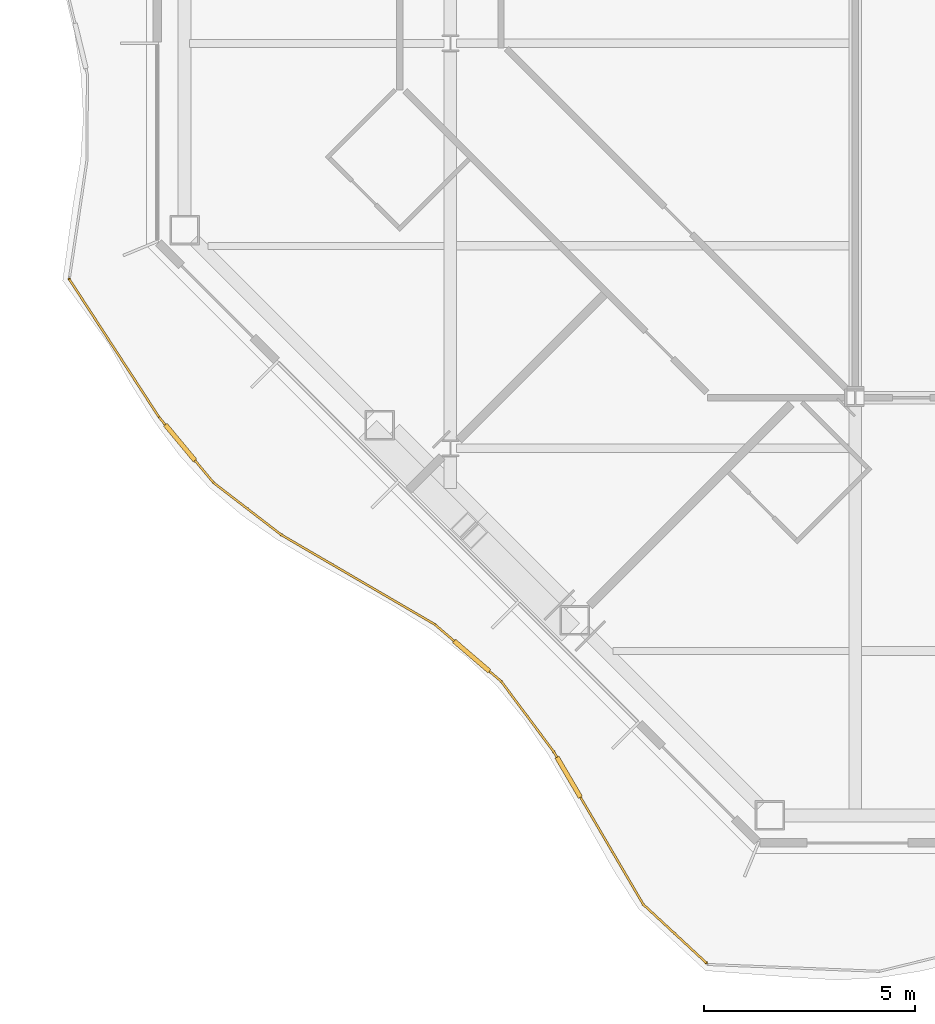
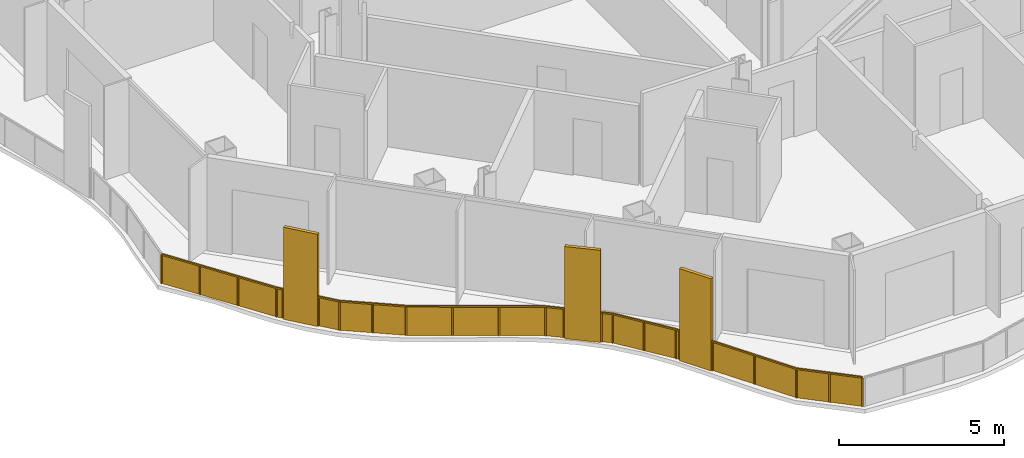
# One storey, part 15 of 21: 1 railing.
"""IFC4 building model written with IfcOpenShell, lengths in metres."""

from ifc_helpers import new_model, si_unit, direction, frame, origin, origin_2d, place, context, subcontext, project, spatial, polyline, rectangle, outline, extrude, material, type_object, element, save


model = new_model("IFC4")

# Units and contexts
model_context = context("Model", 3, precision=1e-05, world=origin(), true_north=direction((0.0, 1.0)))
body_context = subcontext(model_context, "Body", "Model", "MODEL_VIEW")
ifc_project = project(units=[si_unit("LENGTHUNIT", "METRE"), si_unit("AREAUNIT", "SQUARE_METRE"), si_unit("VOLUMEUNIT", "CUBIC_METRE"), si_unit("PLANEANGLEUNIT", "RADIAN"), si_unit("MASSUNIT", "GRAM", prefix="KILO")], contexts=[model_context])

# Site, building, storey
site_placement = place(None, origin())
site = spatial("IfcSite", under=ifc_project, at=site_placement, CompositionType="ELEMENT")
building_placement = place(site_placement, origin())
building = spatial("IfcBuilding", under=site, at=building_placement, Name="Cairn Pilgrim Tower", CompositionType="ELEMENT")
storey_placement = place(building_placement, frame((0.0, 0.0, 136.199951171875)))
storey = spatial("IfcBuildingStorey", under=building, at=storey_placement, Name="L33", CompositionType="ELEMENT", Elevation=136.199951171875)

# Railing
ifc_material = material(Name="Bronze anodised aluminium rail, posts and fin screens with laminated glass infill", Category="aluminium")
railing_type = type_object("IfcRailingType", Name="BALCONY GUARD WITH FIN SCREENS", PredefinedType="GUARDRAIL", material=ifc_material)
railing_placement = place(storey_placement, frame((-23.43212890625, -5.589599609375, 0.0)))
element("IfcRailing", 1, at=railing_placement, inside=storey, type_object=railing_type, Name="Balcony guard BGF-8 with fin screens", PredefinedType="GUARDRAIL", context=body_context, shape_type="SweptSolid", body=[
    extrude(rectangle(XDim=0.050048828125, YDim=0.050048828125, at=origin_2d()), frame((0.0, 0.0, 1.0751953125), z_axis=(0.545199621841, -0.83830625212, 0.0), x_axis=(0.83830625212, 0.545199621841, 0.0)), (0.0, 0.0, 1.0), 3.89892578125),
    extrude(rectangle(XDim=1.10009765625, YDim=0.110107421875, at=origin_2d()), frame((2.62841796875, -3.873046875, 0.0), z_axis=(0.0, 0.0, 1.0), x_axis=(0.639339827506, -0.768924303794, 0.0)), (0.0, 0.0, 1.0), 3.39990234375),
    extrude(rectangle(XDim=0.050048828125, YDim=0.050048828125, at=origin_2d()), frame((2.125732421875, -3.2685546875, 1.0751953125), z_axis=(0.639339827506, -0.768924303794, 0.0), x_axis=(0.768924303794, 0.639339827506, 0.0)), (0.0, 0.0, 1.0), 0.236083984375),
    extrude(rectangle(XDim=0.050048828125, YDim=0.050048828125, at=origin_2d()), frame((2.97998046875, -4.2958984375, 1.0751953125), z_axis=(0.639339827506, -0.768924303794, 0.0), x_axis=(0.768924303794, 0.639339827506, 0.0)), (0.0, 0.0, 1.0), 0.68359375),
    extrude(rectangle(XDim=0.050048828125, YDim=0.050048828125, at=origin_2d()), frame((3.4169921875, -4.821533203125, 1.0751953125), z_axis=(0.792628465799, -0.609704941103, 0.0), x_axis=(0.609704941103, 0.792628465799, 0.0)), (0.0, 0.0, 1.0), 2.02734375),
    extrude(rectangle(XDim=0.050048828125, YDim=0.050048828125, at=origin_2d()), frame((5.02392578125, -6.0576171875, 1.0751953125), z_axis=(0.863604497181, -0.504169884512, 0.0), x_axis=(0.504169884512, 0.863604497181, 0.0)), (0.0, 0.0, 1.0), 4.21533203125),
    extrude(rectangle(XDim=1.10009765625, YDim=0.110107421875, at=origin_2d()), frame((9.5400390625, -8.93408203125, 0.0), z_axis=(0.0, 0.0, 1.0), x_axis=(0.758940550376, -0.651159919677, 0.0)), (0.0, 0.0, 1.0), 3.39990234375),
    extrude(rectangle(XDim=0.050048828125, YDim=0.050048828125, at=origin_2d()), frame((8.664306640625, -8.182861328125, 1.0751953125), z_axis=(0.758940550376, -0.651159919677, 0.0), x_axis=(0.651159919677, 0.758940550376, 0.0)), (0.0, 0.0, 1.0), 0.603759765625),
    extrude(rectangle(XDim=0.050048828125, YDim=0.050048828125, at=origin_2d()), frame((9.95751953125, -9.292236328125, 1.0751953125), z_axis=(0.758940550376, -0.651159919677, 0.0), x_axis=(0.651159919677, 0.758940550376, 0.0)), (0.0, 0.0, 1.0), 0.368896484375),
    extrude(rectangle(XDim=0.050048828125, YDim=0.050048828125, at=origin_2d()), frame((10.2373046875, -9.532470703125, 1.0751953125), z_axis=(0.59832937357, -0.801250248501, 0.0), x_axis=(0.801250248501, 0.59832937357, 0.0)), (0.0, 0.0, 1.0), 2.08251953125),
    extrude(rectangle(XDim=1.10009765625, YDim=0.110107421875, at=origin_2d()), frame((11.83740234375, -11.804931640625, 0.0), z_axis=(0.0, 0.0, 1.0), x_axis=(0.505809103116, -0.862645437712, 0.0)), (0.0, 0.0, 1.0), 3.39990234375),
    extrude(rectangle(XDim=0.050048828125, YDim=0.050048828125, at=origin_2d()), frame((11.4833984375, -11.201171875, 1.0751953125), z_axis=(0.505809103116, -0.862645437712, 0.0), x_axis=(0.862645437712, 0.505809103116, 0.0)), (0.0, 0.0, 1.0), 0.14990234375),
    extrude(rectangle(XDim=0.050048828125, YDim=0.050048828125, at=origin_2d()), frame((12.11572265625, -12.279296875, 1.0751953125), z_axis=(0.505809103116, -0.862645437712, 0.0), x_axis=(0.862645437712, 0.505809103116, 0.0)), (0.0, 0.0, 1.0), 2.945556640625),
    extrude(rectangle(XDim=0.050048828125, YDim=0.050048828125, at=origin_2d()), frame((13.60546875, -14.8203125, 1.0751953125), z_axis=(0.733656498761, -0.679520523476, 0.0), x_axis=(0.679520523476, 0.733656498761, 0.0)), (0.0, 0.0, 1.0), 2.033935546875),
    extrude(rectangle(XDim=0.050048828125, YDim=0.050048828125, at=origin_2d()), origin(), (0.0, 0.0, 1.0), 1.050048828125),
    extrude(rectangle(XDim=0.050048828125, YDim=0.050048828125, at=origin_2d()), frame((0.70849609375, -1.089599609375, 0.0)), (0.0, 0.0, 1.0), 1.050048828125),
    extrude(rectangle(XDim=0.050048828125, YDim=0.050048828125, at=origin_2d()), frame((1.417236328125, -2.178955078125, 0.0)), (0.0, 0.0, 1.0), 1.050048828125),
    extrude(rectangle(XDim=0.050048828125, YDim=0.050048828125, at=origin_2d()), frame((2.125732421875, -3.2685546875, 0.0)), (0.0, 0.0, 1.0), 1.050048828125),
    extrude(rectangle(XDim=0.050048828125, YDim=0.050048828125, at=origin_2d()), frame((2.2607421875, -3.430908203125, 0.0)), (0.0, 0.0, 1.0), 1.050048828125),
    extrude(rectangle(XDim=0.050048828125, YDim=0.050048828125, at=origin_2d()), frame((2.99609375, -4.315185546875, 0.0)), (0.0, 0.0, 1.0), 1.050048828125),
    extrude(rectangle(XDim=0.050048828125, YDim=0.050048828125, at=origin_2d()), frame((3.4169921875, -4.821533203125, 0.0)), (0.0, 0.0, 1.0), 1.050048828125),
    extrude(rectangle(XDim=0.050048828125, YDim=0.050048828125, at=origin_2d()), frame((4.220458984375, -5.439453125, 0.0)), (0.0, 0.0, 1.0), 1.050048828125),
    extrude(rectangle(XDim=0.050048828125, YDim=0.050048828125, at=origin_2d()), frame((5.02392578125, -6.0576171875, 0.0)), (0.0, 0.0, 1.0), 1.050048828125),
    extrude(rectangle(XDim=0.050048828125, YDim=0.050048828125, at=origin_2d()), frame((6.2373046875, -6.76611328125, 0.0)), (0.0, 0.0, 1.0), 1.050048828125),
    extrude(rectangle(XDim=0.050048828125, YDim=0.050048828125, at=origin_2d()), frame((7.450927734375, -7.474365234375, 0.0)), (0.0, 0.0, 1.0), 1.050048828125),
    extrude(rectangle(XDim=0.050048828125, YDim=0.050048828125, at=origin_2d()), frame((8.664306640625, -8.182861328125, 0.0)), (0.0, 0.0, 1.0), 1.050048828125),
    extrude(rectangle(XDim=0.050048828125, YDim=0.050048828125, at=origin_2d()), frame((9.103515625, -8.559814453125, 0.0)), (0.0, 0.0, 1.0), 1.050048828125),
    extrude(rectangle(XDim=0.050048828125, YDim=0.050048828125, at=origin_2d()), frame((9.976318359375, -9.30859375, 0.0)), (0.0, 0.0, 1.0), 1.050048828125),
    extrude(rectangle(XDim=0.050048828125, YDim=0.050048828125, at=origin_2d()), frame((10.2373046875, -9.532470703125, 0.0)), (0.0, 0.0, 1.0), 1.050048828125),
    extrude(rectangle(XDim=0.050048828125, YDim=0.050048828125, at=origin_2d()), frame((10.8603515625, -10.36669921875, 0.0)), (0.0, 0.0, 1.0), 1.050048828125),
    extrude(rectangle(XDim=0.050048828125, YDim=0.050048828125, at=origin_2d()), frame((11.4833984375, -11.201171875, 0.0)), (0.0, 0.0, 1.0), 1.050048828125),
    extrude(rectangle(XDim=0.050048828125, YDim=0.050048828125, at=origin_2d()), frame((11.546630859375, -11.308837890625, 0.0)), (0.0, 0.0, 1.0), 1.050048828125),
    extrude(rectangle(XDim=0.050048828125, YDim=0.050048828125, at=origin_2d()), frame((12.128173828125, -12.301025390625, 0.0)), (0.0, 0.0, 1.0), 1.050048828125),
    extrude(rectangle(XDim=0.050048828125, YDim=0.050048828125, at=origin_2d()), frame((12.866943359375, -13.560546875, 0.0)), (0.0, 0.0, 1.0), 1.050048828125),
    extrude(rectangle(XDim=0.050048828125, YDim=0.050048828125, at=origin_2d()), frame((13.60546875, -14.8203125, 0.0)), (0.0, 0.0, 1.0), 1.050048828125),
    extrude(rectangle(XDim=0.050048828125, YDim=0.050048828125, at=origin_2d()), frame((14.3515625, -15.51123046875, 0.0)), (0.0, 0.0, 1.0), 1.050048828125),
    extrude(rectangle(XDim=0.050048828125, YDim=0.050048828125, at=origin_2d()), frame((15.09765625, -16.202392578125, 0.0)), (0.0, 0.0, 1.0), 1.050048828125),
    extrude(outline(polyline([(0.02490234375, 0.0), (1.274658203125, 0.0), (1.274658203125, 1.050048828125), (0.02490234375, 1.050048828125), (0.02490234375, 0.0)])), frame((0.005126953125, 0.003173828125, 0.0), z_axis=(-0.83830625212, -0.545199621841, 0.0), x_axis=(0.545199621841, -0.83830625212, 0.0)), (0.0, 0.0, 1.0), 0.011962890625),
    extrude(outline(polyline([(0.02490234375, 0.0), (1.274658203125, 0.0), (1.274658203125, 1.050048828125), (0.02490234375, 1.050048828125), (0.02490234375, 0.0)])), frame((0.713623046875, -1.086181640625, 0.0), z_axis=(-0.83830625212, -0.545199621841, 0.0), x_axis=(0.545199621841, -0.83830625212, 0.0)), (0.0, 0.0, 1.0), 0.011962890625),
    extrude(outline(polyline([(0.02490234375, 0.0), (1.274658203125, 0.0), (1.274658203125, 1.050048828125), (0.02490234375, 1.050048828125), (0.02490234375, 0.0)])), frame((1.422119140625, -2.17578125, 0.0), z_axis=(-0.83830625212, -0.545199621841, 0.0), x_axis=(0.545199621841, -0.83830625212, 0.0)), (0.0, 0.0, 1.0), 0.011962890625),
    extrude(outline(polyline([(0.02490234375, 0.0), (0.18603515625, 0.0), (0.18603515625, 1.050048828125), (0.02490234375, 1.050048828125), (0.02490234375, 0.0)])), frame((2.13037109375, -3.2646484375, 0.0), z_axis=(-0.768924303794, -0.639339827506, 0.0), x_axis=(0.639339827506, -0.768924303794, 0.0)), (0.0, 0.0, 1.0), 0.011962890625),
    extrude(outline(polyline([(0.02490234375, 0.0), (0.633544921875, 0.0), (0.633544921875, 1.050048828125), (0.02490234375, 1.050048828125), (0.02490234375, 0.0)])), frame((3.000732421875, -4.3115234375, 0.0), z_axis=(-0.768924303794, -0.639339827506, 0.0), x_axis=(0.639339827506, -0.768924303794, 0.0)), (0.0, 0.0, 1.0), 0.011962890625),
    extrude(outline(polyline([(0.02490234375, 0.0), (0.98876953125, 0.0), (0.98876953125, 1.050048828125), (0.02490234375, 1.050048828125), (0.02490234375, 0.0)])), frame((3.420654296875, -4.81689453125, 0.0), z_axis=(-0.609704941103, -0.792628465799, 0.0), x_axis=(0.792628465799, -0.609704941103, 0.0)), (0.0, 0.0, 1.0), 0.011962890625),
    extrude(outline(polyline([(0.02490234375, 0.0), (0.98876953125, 0.0), (0.98876953125, 1.050048828125), (0.02490234375, 1.050048828125), (0.02490234375, 0.0)])), frame((4.22412109375, -5.434814453125, 0.0), z_axis=(-0.609704941103, -0.792628465799, 0.0), x_axis=(0.792628465799, -0.609704941103, 0.0)), (0.0, 0.0, 1.0), 0.011962890625),
    extrude(outline(polyline([(0.02490234375, 0.0), (1.380126953125, 0.0), (1.380126953125, 1.050048828125), (0.02490234375, 1.050048828125), (0.02490234375, 0.0)])), frame((5.02685546875, -6.052490234375, 0.0), z_axis=(-0.504169884512, -0.863604497181, 0.0), x_axis=(0.863604497181, -0.504169884512, 0.0)), (0.0, 0.0, 1.0), 0.011962890625),
    extrude(outline(polyline([(0.02490234375, 0.0), (1.380126953125, 0.0), (1.380126953125, 1.050048828125), (0.02490234375, 1.050048828125), (0.02490234375, 0.0)])), frame((6.240478515625, -6.760986328125, 0.0), z_axis=(-0.504169884512, -0.863604497181, 0.0), x_axis=(0.863604497181, -0.504169884512, 0.0)), (0.0, 0.0, 1.0), 0.011962890625),
    extrude(outline(polyline([(0.02490234375, 0.0), (1.380126953125, 0.0), (1.380126953125, 1.050048828125), (0.02490234375, 1.050048828125), (0.02490234375, 0.0)])), frame((7.453857421875, -7.46923828125, 0.0), z_axis=(-0.504169884512, -0.863604497181, 0.0), x_axis=(0.863604497181, -0.504169884512, 0.0)), (0.0, 0.0, 1.0), 0.011962890625),
    extrude(outline(polyline([(0.02490234375, 0.0), (0.5537109375, 0.0), (0.5537109375, 1.050048828125), (0.02490234375, 1.050048828125), (0.02490234375, 0.0)])), frame((8.668212890625, -8.17822265625, 0.0), z_axis=(-0.651159919677, -0.758940550376, 0.0), x_axis=(0.758940550376, -0.651159919677, 0.0)), (0.0, 0.0, 1.0), 0.011962890625),
    extrude(outline(polyline([(0.02490234375, 0.0), (0.31884765625, 0.0), (0.31884765625, 1.050048828125), (0.02490234375, 1.050048828125), (0.02490234375, 0.0)])), frame((9.980224609375, -9.30419921875, 0.0), z_axis=(-0.651159919677, -0.758940550376, 0.0), x_axis=(0.758940550376, -0.651159919677, 0.0)), (0.0, 0.0, 1.0), 0.011962890625),
    extrude(outline(polyline([(0.02490234375, 0.0), (1.016357421875, 0.0), (1.016357421875, 1.050048828125), (0.02490234375, 1.050048828125), (0.02490234375, 0.0)])), frame((10.2421875, -9.52880859375, 0.0), z_axis=(-0.801250248501, -0.59832937357, 0.0), x_axis=(0.59832937357, -0.801250248501, 0.0)), (0.0, 0.0, 1.0), 0.011962890625),
    extrude(outline(polyline([(0.02490234375, 0.0), (1.016357421875, 0.0), (1.016357421875, 1.050048828125), (0.02490234375, 1.050048828125), (0.02490234375, 0.0)])), frame((10.865234375, -10.36328125, 0.0), z_axis=(-0.801250248501, -0.59832937357, 0.0), x_axis=(0.59832937357, -0.801250248501, 0.0)), (0.0, 0.0, 1.0), 0.011962890625),
    extrude(outline(polyline([(0.02490234375, 0.0), (0.099853515625, 0.0), (0.099853515625, 1.050048828125), (0.02490234375, 1.050048828125), (0.02490234375, 0.0)])), frame((11.488525390625, -11.1982421875, 0.0), z_axis=(-0.862645437712, -0.505809103116, 0.0), x_axis=(0.505809103116, -0.862645437712, 0.0)), (0.0, 0.0, 1.0), 0.011962890625),
    extrude(outline(polyline([(0.02490234375, 0.0), (1.435302734375, 0.0), (1.435302734375, 1.050048828125), (0.02490234375, 1.050048828125), (0.02490234375, 0.0)])), frame((12.133544921875, -12.2978515625, 0.0), z_axis=(-0.862645437712, -0.505809103116, 0.0), x_axis=(0.505809103116, -0.862645437712, 0.0)), (0.0, 0.0, 1.0), 0.011962890625),
    extrude(outline(polyline([(0.02490234375, 0.0), (1.435302734375, 0.0), (1.435302734375, 1.050048828125), (0.02490234375, 1.050048828125), (0.02490234375, 0.0)])), frame((12.8720703125, -13.5576171875, 0.0), z_axis=(-0.862645437712, -0.505809103116, 0.0), x_axis=(0.505809103116, -0.862645437712, 0.0)), (0.0, 0.0, 1.0), 0.011962890625),
    extrude(outline(polyline([(0.02490234375, 0.0), (0.991943359375, 0.0), (0.991943359375, 1.050048828125), (0.02490234375, 1.050048828125), (0.02490234375, 0.0)])), frame((13.609619140625, -14.81591796875, 0.0), z_axis=(-0.679520523476, -0.733656498761, 0.0), x_axis=(0.733656498761, -0.679520523476, 0.0)), (0.0, 0.0, 1.0), 0.011962890625),
    extrude(outline(polyline([(0.02490234375, 0.0), (0.991943359375, 0.0), (0.991943359375, 1.050048828125), (0.02490234375, 1.050048828125), (0.02490234375, 0.0)])), frame((14.355712890625, -15.507080078125, 0.0), z_axis=(-0.679520523476, -0.733656498761, 0.0), x_axis=(0.733656498761, -0.679520523476, 0.0)), (0.0, 0.0, 1.0), 0.011962890625),
])

save(model, "model.ifc")
